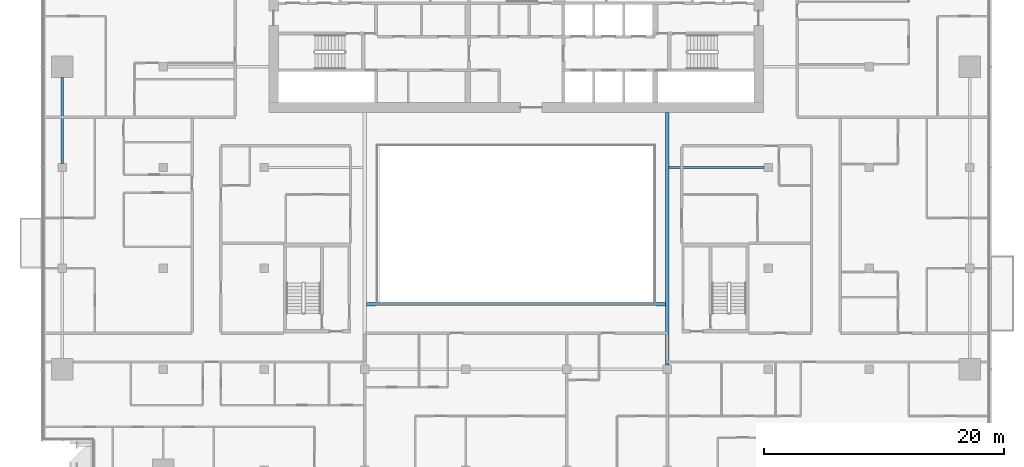
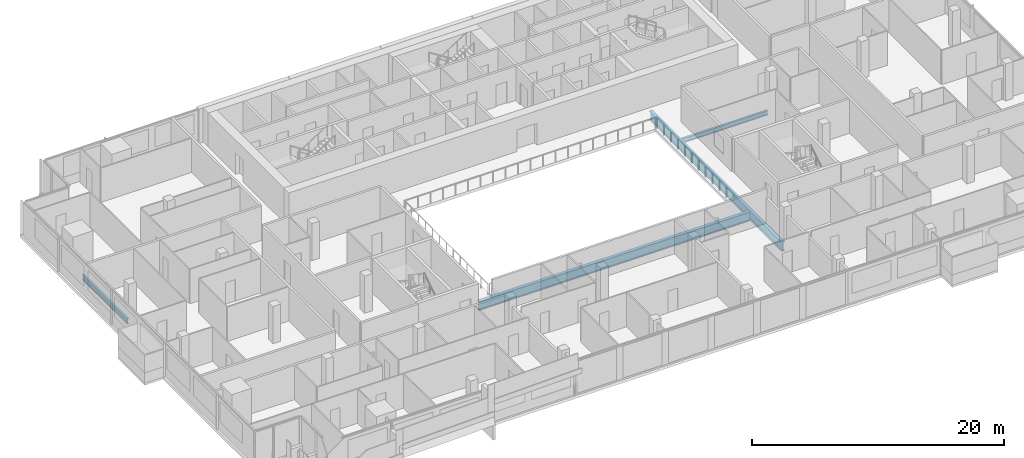
# One storey, part 7 of 30: 4 beams.
"""IFC4 building model written with IfcOpenShell, lengths in metres."""

from ifc_helpers import new_model, si_unit, direction, frame, origin, origin_2d, place, context, subcontext, project, spatial, i_section, extrude, material, material_profile, profile_set, type_object, element, save


model = new_model("IFC4")

# Units and contexts
model_context = context("Model", 3, precision=1e-05, world=origin(), true_north=direction((0.0, 1.0)))
body_context = subcontext(model_context, "Body", "Model", "MODEL_VIEW")
ifc_project = project(units=[si_unit("LENGTHUNIT", "METRE"), si_unit("AREAUNIT", "SQUARE_METRE"), si_unit("VOLUMEUNIT", "CUBIC_METRE"), si_unit("PLANEANGLEUNIT", "RADIAN"), si_unit("MASSUNIT", "GRAM", prefix="KILO")], contexts=[model_context])

# Site, building, storey
site_placement = place(None, origin())
site = spatial("IfcSite", under=ifc_project, at=site_placement, CompositionType="ELEMENT")
building_placement = place(site_placement, origin())
building = spatial("IfcBuilding", under=site, at=building_placement, Name="Saffron Gate Tower", CompositionType="ELEMENT")
storey_placement = place(building_placement, frame((0.0, 0.0, 169.050048828125)))
storey = spatial("IfcBuildingStorey", under=building, at=storey_placement, Name="L41", CompositionType="ELEMENT", Elevation=169.050048828125)

# Beams
ifc_material = material(Name="Structural steel S355", Category="steel")
ifc_material_profile_1 = material_profile(ifc_material, i_section(OverallWidth=0.199951171875, OverallDepth=0.5, WebThickness=0.01025390625, FlangeThickness=0.01611328125, FilletRadius=0.02099609375, at=origin_2d()))
ifc_profile_set_1 = profile_set([ifc_material_profile_1], Name="Structural steel S355")
beam_type_1 = type_object("IfcBeamType", Name="B11 IPE 500", PredefinedType="SPANDREL", material=ifc_profile_set_1)
beam_1_placement = place(storey_placement, frame((49.800048828125, 57.35009765625, -0.530029296875), z_axis=(0.0, 1.0, 0.0), x_axis=(-1.0, 0.0, 0.0)))
element("IfcBeam", 1, at=beam_1_placement, inside=storey, type_object=beam_type_1, Name="B11 SPANDREL BEAM", PredefinedType="SPANDREL", context=body_context, shape_type="SweptSolid", body=[
    extrude(i_section(OverallWidth=0.199951171875, OverallDepth=0.5, WebThickness=0.01025390625, FlangeThickness=0.01611328125, FilletRadius=0.02099609375, at=origin_2d()), origin(), (0.0, 0.0, 1.0), 7.14990234375),
])
ifc_material_profile_2 = material_profile(ifc_material, i_section(OverallWidth=0.300048828125, OverallDepth=0.889892578125, WebThickness=0.01611328125, FlangeThickness=0.030029296875, FilletRadius=0.030029296875, at=origin_2d()))
ifc_profile_set_2 = profile_set([ifc_material_profile_2], Name="Structural steel S355")
beam_type_2 = type_object("IfcBeamType", Name="B19 HEA 900", PredefinedType="BEAM", material=ifc_profile_set_2)
beam_2_placement = place(storey_placement, frame((100.199951171875, 40.550048828125, -0.72509765625), z_axis=(0.0, 1.0, 0.0), x_axis=(-1.0, 0.0, 0.0)))
element("IfcBeam", 2, at=beam_2_placement, inside=storey, type_object=beam_type_2, Name="B19 ATRIUM GIRDER", PredefinedType="BEAM", context=body_context, shape_type="SweptSolid", body=[
    extrude(i_section(OverallWidth=0.300048828125, OverallDepth=0.889892578125, WebThickness=0.01611328125, FlangeThickness=0.030029296875, FilletRadius=0.030029296875, at=origin_2d()), origin(), (0.0, 0.0, 1.0), 21.050048828125),
])
beam_3_placement = place(storey_placement, frame((75.14990234375, 45.60009765625, -0.72509765625), z_axis=(1.0, 0.0, 0.0), x_axis=(0.0, 1.0, 0.0)))
element("IfcBeam", 3, at=beam_3_placement, inside=storey, type_object=beam_type_2, Name="B19 ATRIUM GIRDER", PredefinedType="BEAM", context=body_context, shape_type="SweptSolid", body=[
    extrude(i_section(OverallWidth=0.300048828125, OverallDepth=0.889892578125, WebThickness=0.01611328125, FlangeThickness=0.030029296875, FilletRadius=0.030029296875, at=origin_2d()), origin(), (0.0, 0.0, 1.0), 24.900146484375),
])
ifc_material_profile_3 = material_profile(ifc_material, i_section(OverallWidth=0.18994140625, OverallDepth=0.449951171875, WebThickness=0.009521484375, FlangeThickness=0.0146484375, FilletRadius=0.02099609375, at=origin_2d()))
ifc_profile_set_3 = profile_set([ifc_material_profile_3], Name="Structural steel S355")
beam_type_3 = type_object("IfcBeamType", Name="B6 IPE 450", PredefinedType="BEAM", material=ifc_profile_set_3)
beam_4_placement = place(storey_placement, frame((108.25, 57.0, -0.505126953125), z_axis=(-1.0, 0.0, 0.0), x_axis=(0.0, -1.0, 0.0)))
element("IfcBeam", 4, at=beam_4_placement, inside=storey, type_object=beam_type_3, Name="B6 CORE TIE BEAM", PredefinedType="BEAM", context=body_context, shape_type="SweptSolid", body=[
    extrude(i_section(OverallWidth=0.18994140625, OverallDepth=0.449951171875, WebThickness=0.009521484375, FlangeThickness=0.0146484375, FilletRadius=0.02099609375, at=origin_2d()), origin(), (0.0, 0.0, 1.0), 7.89990234375),
])

save(model, "model.ifc")
